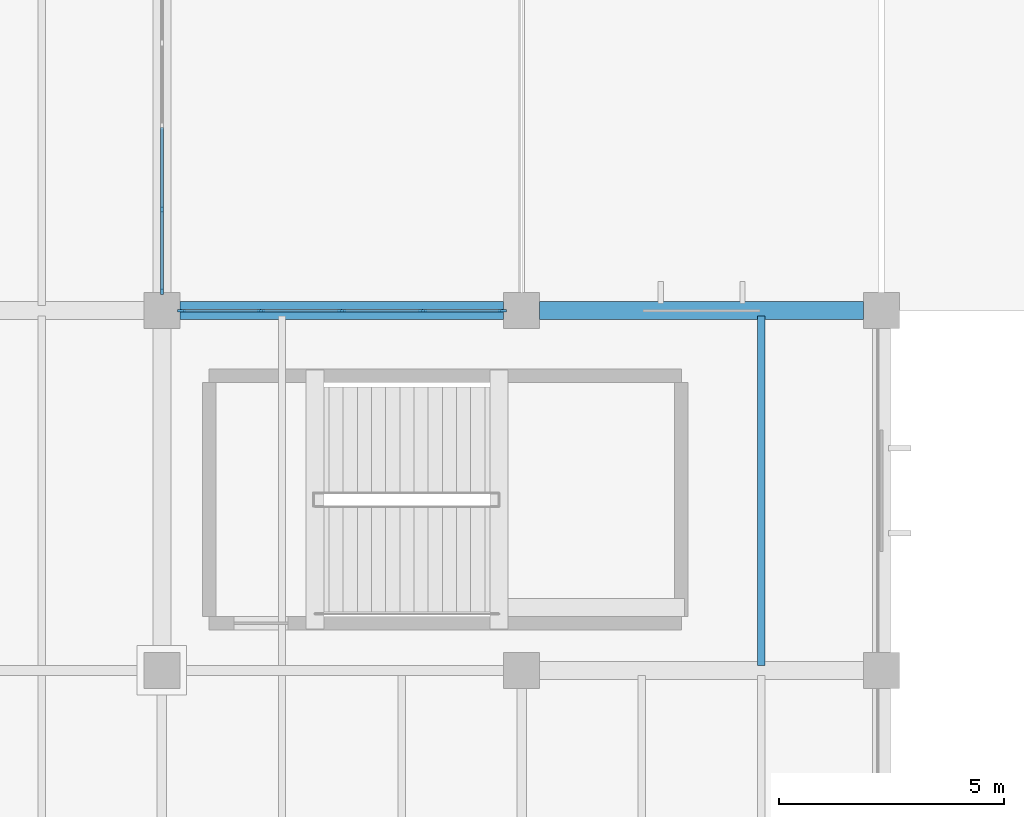
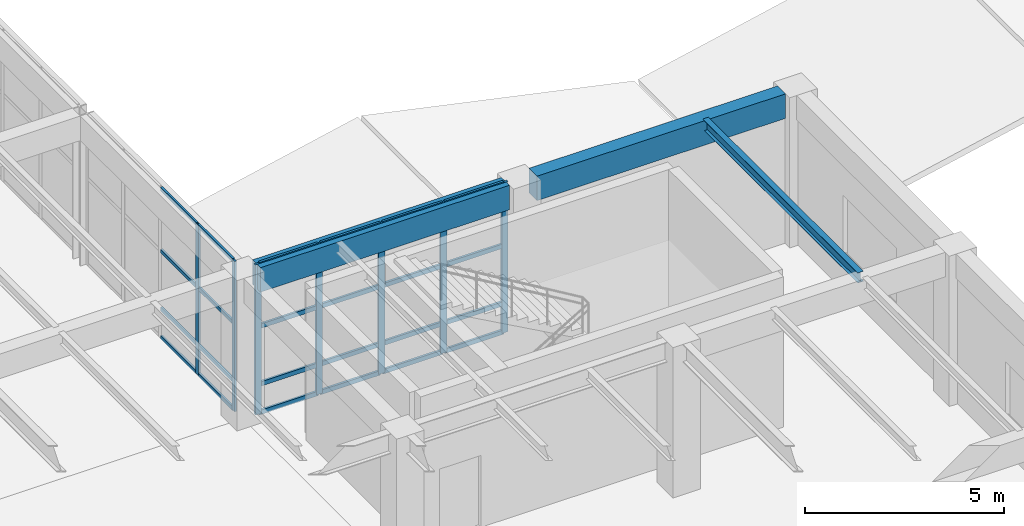
# One storey, part 17 of 60: 31 members, 3 beams, 2 elements without a shape of their own.
"""IFC4 building model written with IfcOpenShell, lengths in metres."""

from ifc_helpers import new_model, si_unit, direction, frame, origin, origin_2d, place, context, subcontext, project, spatial, rectangle, i_section, extrude, material, layer, layer_set, material_profile, profile_set, type_object, element, aggregate, save


model = new_model("IFC4")

# Units and contexts
model_context = context("Model", 3, precision=1e-05, world=origin(), true_north=direction((0.0, 1.0)))
body_context = subcontext(model_context, "Body", "Model", "MODEL_VIEW")
ifc_project = project(units=[si_unit("LENGTHUNIT", "METRE"), si_unit("AREAUNIT", "SQUARE_METRE"), si_unit("VOLUMEUNIT", "CUBIC_METRE"), si_unit("PLANEANGLEUNIT", "RADIAN"), si_unit("MASSUNIT", "GRAM", prefix="KILO")], contexts=[model_context])

# Site, building, storey
site_placement = place(None, origin())
site = spatial("IfcSite", under=ifc_project, at=site_placement, CompositionType="ELEMENT")
building_placement = place(site_placement, origin())
building = spatial("IfcBuilding", under=site, at=building_placement, Name="Varnela Railside Interchange", CompositionType="ELEMENT")
storey_placement = place(building_placement, frame((0.0, 0.0, 6.300048828125)))
storey = spatial("IfcBuildingStorey", under=building, at=storey_placement, Name="L01", CompositionType="ELEMENT", Elevation=6.300048828125)

# Beam
ifc_material_1 = material(Name="Steel AR 350 (350 MPa)", Category="steel")
ifc_material_profile_1 = material_profile(ifc_material_1, i_section(OverallWidth=0.1650390625, OverallDepth=0.31005859375, WebThickness=0.005859375, FlangeThickness=0.009765625, at=origin_2d()), Name="W310x38.7")
ifc_profile_set_1 = profile_set([ifc_material_profile_1], Name="Steel AR 350 (350 MPa)")
beam_type_1 = type_object("IfcBeamType", Name="Composite Floor Joist J-04", PredefinedType="JOIST", material=ifc_profile_set_1)
beam_placement = place(storey_placement, frame((65.330078125, 54.114501953125, 4.445068359375), z_axis=(0.0, 1.0, 0.0), x_axis=(-1.0, 0.0, 0.0)))
element("IfcBeam", 1, at=beam_placement, inside=storey, type_object=beam_type_1, Name="Composite Floor Joist J-04 (L01) (BM-1598)", PredefinedType="JOIST", context=body_context, shape_type="SweptSolid", body=[
    extrude(i_section(OverallWidth=0.1650390625, OverallDepth=0.31005859375, WebThickness=0.005859375, FlangeThickness=0.009765625, at=origin_2d()), origin(), (0.0, 0.0, 1.0), 7.77099609375),
])

# Curtain wall, members
ifc_material_2 = material(Name="Aluminium 6063-T6", Category="aluminium")
ifc_layer_1 = layer(ifc_material_2, 0.035888671875)
ifc_layer_set_1 = layer_set([ifc_layer_1], Name="Aluminium 6063-T6")
curtain_wall_type_1 = type_object("IfcCurtainWallType", Name="Concourse Triple-Height Curtain Wall CW-01", PredefinedType="USERDEFINED", material=ifc_layer_set_1)
curtain_wall_1_placement = place(storey_placement, origin())
curtain_wall_1 = element("IfcCurtainWall", 2, at=curtain_wall_1_placement, inside=storey, type_object=curtain_wall_type_1, Name="Curtain Wall CW-01 (L01) (CW-026)", ObjectType="CURTAIN WALL", PredefinedType="USERDEFINED")
ifc_material_profile_2 = material_profile(ifc_material_2, rectangle(XDim=0.06494140625, YDim=0.179931640625, at=origin_2d()), Name="ALU 65x180")
ifc_profile_set_2 = profile_set([ifc_material_profile_2], Name="Aluminium 6063-T6")
member_type_1 = type_object("IfcMemberType", Name="Concourse Tall Mullion ML-03", PredefinedType="MULLION", material=ifc_profile_set_2)
member_1_placement = place(storey_placement, frame((52.4326171875, 62.0, 0.0), z_axis=(0.0, 0.0, 1.0), x_axis=(0.0, 1.0, 0.0)))
member_1 = element("IfcMember", 3, at=member_1_placement, type_object=member_type_1, Name="CW-01 mullion 1", PredefinedType="MULLION", context=body_context, shape_type="SweptSolid", body=[
    extrude(rectangle(XDim=0.06494140625, YDim=0.179931640625, at=origin_2d()), origin(), (0.0, 0.0, 1.0), 4.599853515625),
])
member_2_placement = place(storey_placement, frame((54.199951171875, 62.0, 0.0), z_axis=(0.0, 0.0, 1.0), x_axis=(0.0, 1.0, 0.0)))
member_2 = element("IfcMember", 4, at=member_2_placement, type_object=member_type_1, Name="CW-01 mullion 2", PredefinedType="MULLION", context=body_context, shape_type="SweptSolid", body=[
    extrude(rectangle(XDim=0.06494140625, YDim=0.179931640625, at=origin_2d()), origin(), (0.0, 0.0, 1.0), 4.599853515625),
])
member_3_placement = place(storey_placement, frame((56.0, 62.0, 0.0), z_axis=(0.0, 0.0, 1.0), x_axis=(0.0, 1.0, 0.0)))
member_3 = element("IfcMember", 5, at=member_3_placement, type_object=member_type_1, Name="CW-01 mullion 3", PredefinedType="MULLION", context=body_context, shape_type="SweptSolid", body=[
    extrude(rectangle(XDim=0.06494140625, YDim=0.179931640625, at=origin_2d()), origin(), (0.0, 0.0, 1.0), 4.599853515625),
])
member_4_placement = place(storey_placement, frame((57.800048828125, 62.0, 0.0), z_axis=(0.0, 0.0, 1.0), x_axis=(0.0, 1.0, 0.0)))
member_4 = element("IfcMember", 6, at=member_4_placement, type_object=member_type_1, Name="CW-01 mullion 4", PredefinedType="MULLION", context=body_context, shape_type="SweptSolid", body=[
    extrude(rectangle(XDim=0.06494140625, YDim=0.179931640625, at=origin_2d()), origin(), (0.0, 0.0, 1.0), 4.599853515625),
])
member_5_placement = place(storey_placement, frame((59.5673828125, 62.0, 0.0), z_axis=(0.0, 0.0, 1.0), x_axis=(0.0, 1.0, 0.0)))
member_5 = element("IfcMember", 7, at=member_5_placement, type_object=member_type_1, Name="CW-01 mullion 5", PredefinedType="MULLION", context=body_context, shape_type="SweptSolid", body=[
    extrude(rectangle(XDim=0.06494140625, YDim=0.179931640625, at=origin_2d()), origin(), (0.0, 0.0, 1.0), 4.599853515625),
])
ifc_material_profile_3 = material_profile(ifc_material_2, rectangle(XDim=0.06494140625, YDim=0.135009765625, at=origin_2d()), Name="ALU 65x135")
ifc_profile_set_3 = profile_set([ifc_material_profile_3], Name="Aluminium 6063-T6")
member_type_2 = type_object("IfcMemberType", Name="Concourse Transom TR-03", PredefinedType="USERDEFINED", material=ifc_profile_set_3)
member_6_placement = place(storey_placement, frame((52.465087890625, 62.0, 0.032470703125), z_axis=(1.0, 0.0, 0.0), x_axis=(0.0, 1.0, 0.0)))
member_6 = element("IfcMember", 8, at=member_6_placement, type_object=member_type_2, Name="CW-01 transom 1.1", ObjectType="TRANSOM", PredefinedType="USERDEFINED", context=body_context, shape_type="SweptSolid", body=[
    extrude(rectangle(XDim=0.06494140625, YDim=0.135009765625, at=origin_2d()), origin(), (0.0, 0.0, 1.0), 1.702392578125),
])
member_7_placement = place(storey_placement, frame((52.465087890625, 62.0, 0.89990234375), z_axis=(1.0, 0.0, 0.0), x_axis=(0.0, 1.0, 0.0)))
member_7 = element("IfcMember", 9, at=member_7_placement, type_object=member_type_2, Name="CW-01 transom 1.2", ObjectType="TRANSOM", PredefinedType="USERDEFINED", context=body_context, shape_type="SweptSolid", body=[
    extrude(rectangle(XDim=0.06494140625, YDim=0.135009765625, at=origin_2d()), origin(), (0.0, 0.0, 1.0), 1.702392578125),
])
member_8_placement = place(storey_placement, frame((52.465087890625, 62.0, 2.66796875), z_axis=(1.0, 0.0, 0.0), x_axis=(0.0, 1.0, 0.0)))
member_8 = element("IfcMember", 10, at=member_8_placement, type_object=member_type_2, Name="CW-01 transom 1.3", ObjectType="TRANSOM", PredefinedType="USERDEFINED", context=body_context, shape_type="SweptSolid", body=[
    extrude(rectangle(XDim=0.06494140625, YDim=0.135009765625, at=origin_2d()), origin(), (0.0, 0.0, 1.0), 1.702392578125),
])
member_9_placement = place(storey_placement, frame((52.465087890625, 62.0, 4.5673828125), z_axis=(1.0, 0.0, 0.0), x_axis=(0.0, 1.0, 0.0)))
member_9 = element("IfcMember", 11, at=member_9_placement, type_object=member_type_2, Name="CW-01 transom 1.4", ObjectType="TRANSOM", PredefinedType="USERDEFINED", context=body_context, shape_type="SweptSolid", body=[
    extrude(rectangle(XDim=0.06494140625, YDim=0.135009765625, at=origin_2d()), origin(), (0.0, 0.0, 1.0), 1.702392578125),
])
member_10_placement = place(storey_placement, frame((54.232421875, 62.0, 0.032470703125), z_axis=(1.0, 0.0, 0.0), x_axis=(0.0, 1.0, 0.0)))
member_10 = element("IfcMember", 12, at=member_10_placement, type_object=member_type_2, Name="CW-01 transom 2.1", ObjectType="TRANSOM", PredefinedType="USERDEFINED", context=body_context, shape_type="SweptSolid", body=[
    extrude(rectangle(XDim=0.06494140625, YDim=0.135009765625, at=origin_2d()), origin(), (0.0, 0.0, 1.0), 1.735107421875),
])
member_11_placement = place(storey_placement, frame((54.232421875, 62.0, 0.89990234375), z_axis=(1.0, 0.0, 0.0), x_axis=(0.0, 1.0, 0.0)))
member_11 = element("IfcMember", 13, at=member_11_placement, type_object=member_type_2, Name="CW-01 transom 2.2", ObjectType="TRANSOM", PredefinedType="USERDEFINED", context=body_context, shape_type="SweptSolid", body=[
    extrude(rectangle(XDim=0.06494140625, YDim=0.135009765625, at=origin_2d()), origin(), (0.0, 0.0, 1.0), 1.735107421875),
])
member_12_placement = place(storey_placement, frame((54.232421875, 62.0, 2.66796875), z_axis=(1.0, 0.0, 0.0), x_axis=(0.0, 1.0, 0.0)))
member_12 = element("IfcMember", 14, at=member_12_placement, type_object=member_type_2, Name="CW-01 transom 2.3", ObjectType="TRANSOM", PredefinedType="USERDEFINED", context=body_context, shape_type="SweptSolid", body=[
    extrude(rectangle(XDim=0.06494140625, YDim=0.135009765625, at=origin_2d()), origin(), (0.0, 0.0, 1.0), 1.735107421875),
])
member_13_placement = place(storey_placement, frame((54.232421875, 62.0, 4.5673828125), z_axis=(1.0, 0.0, 0.0), x_axis=(0.0, 1.0, 0.0)))
member_13 = element("IfcMember", 15, at=member_13_placement, type_object=member_type_2, Name="CW-01 transom 2.4", ObjectType="TRANSOM", PredefinedType="USERDEFINED", context=body_context, shape_type="SweptSolid", body=[
    extrude(rectangle(XDim=0.06494140625, YDim=0.135009765625, at=origin_2d()), origin(), (0.0, 0.0, 1.0), 1.735107421875),
])
member_14_placement = place(storey_placement, frame((56.032470703125, 62.0, 0.032470703125), z_axis=(1.0, 0.0, 0.0), x_axis=(0.0, 1.0, 0.0)))
member_14 = element("IfcMember", 16, at=member_14_placement, type_object=member_type_2, Name="CW-01 transom 3.1", ObjectType="TRANSOM", PredefinedType="USERDEFINED", context=body_context, shape_type="SweptSolid", body=[
    extrude(rectangle(XDim=0.06494140625, YDim=0.135009765625, at=origin_2d()), origin(), (0.0, 0.0, 1.0), 1.735107421875),
])
member_15_placement = place(storey_placement, frame((56.032470703125, 62.0, 0.89990234375), z_axis=(1.0, 0.0, 0.0), x_axis=(0.0, 1.0, 0.0)))
member_15 = element("IfcMember", 17, at=member_15_placement, type_object=member_type_2, Name="CW-01 transom 3.2", ObjectType="TRANSOM", PredefinedType="USERDEFINED", context=body_context, shape_type="SweptSolid", body=[
    extrude(rectangle(XDim=0.06494140625, YDim=0.135009765625, at=origin_2d()), origin(), (0.0, 0.0, 1.0), 1.735107421875),
])
member_16_placement = place(storey_placement, frame((56.032470703125, 62.0, 2.66796875), z_axis=(1.0, 0.0, 0.0), x_axis=(0.0, 1.0, 0.0)))
member_16 = element("IfcMember", 18, at=member_16_placement, type_object=member_type_2, Name="CW-01 transom 3.3", ObjectType="TRANSOM", PredefinedType="USERDEFINED", context=body_context, shape_type="SweptSolid", body=[
    extrude(rectangle(XDim=0.06494140625, YDim=0.135009765625, at=origin_2d()), origin(), (0.0, 0.0, 1.0), 1.735107421875),
])
member_17_placement = place(storey_placement, frame((56.032470703125, 62.0, 4.5673828125), z_axis=(1.0, 0.0, 0.0), x_axis=(0.0, 1.0, 0.0)))
member_17 = element("IfcMember", 19, at=member_17_placement, type_object=member_type_2, Name="CW-01 transom 3.4", ObjectType="TRANSOM", PredefinedType="USERDEFINED", context=body_context, shape_type="SweptSolid", body=[
    extrude(rectangle(XDim=0.06494140625, YDim=0.135009765625, at=origin_2d()), origin(), (0.0, 0.0, 1.0), 1.735107421875),
])
member_18_placement = place(storey_placement, frame((57.83251953125, 62.0, 0.032470703125), z_axis=(1.0, 0.0, 0.0), x_axis=(0.0, 1.0, 0.0)))
member_18 = element("IfcMember", 20, at=member_18_placement, type_object=member_type_2, Name="CW-01 transom 4.1", ObjectType="TRANSOM", PredefinedType="USERDEFINED", context=body_context, shape_type="SweptSolid", body=[
    extrude(rectangle(XDim=0.06494140625, YDim=0.135009765625, at=origin_2d()), origin(), (0.0, 0.0, 1.0), 1.702392578125),
])
member_19_placement = place(storey_placement, frame((57.83251953125, 62.0, 0.89990234375), z_axis=(1.0, 0.0, 0.0), x_axis=(0.0, 1.0, 0.0)))
member_19 = element("IfcMember", 21, at=member_19_placement, type_object=member_type_2, Name="CW-01 transom 4.2", ObjectType="TRANSOM", PredefinedType="USERDEFINED", context=body_context, shape_type="SweptSolid", body=[
    extrude(rectangle(XDim=0.06494140625, YDim=0.135009765625, at=origin_2d()), origin(), (0.0, 0.0, 1.0), 1.702392578125),
])
member_20_placement = place(storey_placement, frame((57.83251953125, 62.0, 2.66796875), z_axis=(1.0, 0.0, 0.0), x_axis=(0.0, 1.0, 0.0)))
member_20 = element("IfcMember", 22, at=member_20_placement, type_object=member_type_2, Name="CW-01 transom 4.3", ObjectType="TRANSOM", PredefinedType="USERDEFINED", context=body_context, shape_type="SweptSolid", body=[
    extrude(rectangle(XDim=0.06494140625, YDim=0.135009765625, at=origin_2d()), origin(), (0.0, 0.0, 1.0), 1.702392578125),
])
member_21_placement = place(storey_placement, frame((57.83251953125, 62.0, 4.5673828125), z_axis=(1.0, 0.0, 0.0), x_axis=(0.0, 1.0, 0.0)))
member_21 = element("IfcMember", 23, at=member_21_placement, type_object=member_type_2, Name="CW-01 transom 4.4", ObjectType="TRANSOM", PredefinedType="USERDEFINED", context=body_context, shape_type="SweptSolid", body=[
    extrude(rectangle(XDim=0.06494140625, YDim=0.135009765625, at=origin_2d()), origin(), (0.0, 0.0, 1.0), 1.702392578125),
])
aggregate(curtain_wall_1, [member_1, member_2, member_3, member_4, member_5, member_6, member_7, member_8, member_9, member_10, member_11, member_12, member_13, member_14, member_15, member_16, member_17, member_18, member_19, member_20, member_21])

ifc_layer_2 = layer(ifc_material_2, 0.035888671875)
ifc_layer_set_2 = layer_set([ifc_layer_2], Name="Aluminium 6063-T6")
curtain_wall_type_2 = type_object("IfcCurtainWallType", Name="Operations Wing Facade Curtain Wall CW-03", PredefinedType="USERDEFINED", material=ifc_layer_set_2)
curtain_wall_2_placement = place(storey_placement, origin())
curtain_wall_2 = element("IfcCurtainWall", 24, at=curtain_wall_2_placement, inside=storey, type_object=curtain_wall_type_2, Name="Curtain Wall CW-03 (L01) (CW-025)", ObjectType="CURTAIN WALL", PredefinedType="USERDEFINED")
ifc_material_profile_4 = material_profile(ifc_material_2, rectangle(XDim=0.06005859375, YDim=0.139892578125, at=origin_2d()), Name="ALU 60x140")
ifc_profile_set_4 = profile_set([ifc_material_profile_4], Name="Aluminium 6063-T6")
member_type_3 = type_object("IfcMemberType", Name="Curtain Wall Mullion ML-01", PredefinedType="MULLION", material=ifc_profile_set_4)
member_22_placement = place(storey_placement, frame((52.0, 64.251708984375, 0.0), z_axis=(0.0, 0.0, 1.0), x_axis=(1.0, 0.0, 0.0)))
member_22 = element("IfcMember", 25, at=member_22_placement, type_object=member_type_3, Name="CW-03 mullion 4", PredefinedType="MULLION", context=body_context, shape_type="SweptSolid", body=[
    extrude(rectangle(XDim=0.06005859375, YDim=0.139892578125, at=origin_2d()), origin(), (0.0, 0.0, 1.0), 4.599853515625),
])
member_23_placement = place(storey_placement, frame((52.0, 62.429931640625, 0.0), z_axis=(0.0, 0.0, 1.0), x_axis=(1.0, 0.0, 0.0)))
member_23 = element("IfcMember", 26, at=member_23_placement, type_object=member_type_3, Name="CW-03 mullion 5", PredefinedType="MULLION", context=body_context, shape_type="SweptSolid", body=[
    extrude(rectangle(XDim=0.06005859375, YDim=0.139892578125, at=origin_2d()), origin(), (0.0, 0.0, 1.0), 4.599853515625),
])
ifc_material_profile_5 = material_profile(ifc_material_2, rectangle(XDim=0.06005859375, YDim=0.110107421875, at=origin_2d()), Name="ALU 60x110")
ifc_profile_set_5 = profile_set([ifc_material_profile_5], Name="Aluminium 6063-T6")
member_type_4 = type_object("IfcMemberType", Name="Curtain Wall Transom TR-01", PredefinedType="USERDEFINED", material=ifc_profile_set_5)
member_24_placement = place(storey_placement, frame((52.0, 66.0732421875, 0.030029296875), z_axis=(0.0, -1.0, 0.0), x_axis=(1.0, 0.0, 0.0)))
member_24 = element("IfcMember", 27, at=member_24_placement, type_object=member_type_4, Name="CW-03 transom 3.1", ObjectType="TRANSOM", PredefinedType="USERDEFINED", context=body_context, shape_type="SweptSolid", body=[
    extrude(rectangle(XDim=0.06005859375, YDim=0.110107421875, at=origin_2d()), origin(), (0.0, 0.0, 1.0), 1.79150390625),
])
member_25_placement = place(storey_placement, frame((52.0, 66.0732421875, 0.89990234375), z_axis=(0.0, -1.0, 0.0), x_axis=(1.0, 0.0, 0.0)))
member_25 = element("IfcMember", 28, at=member_25_placement, type_object=member_type_4, Name="CW-03 transom 3.2", ObjectType="TRANSOM", PredefinedType="USERDEFINED", context=body_context, shape_type="SweptSolid", body=[
    extrude(rectangle(XDim=0.06005859375, YDim=0.110107421875, at=origin_2d()), origin(), (0.0, 0.0, 1.0), 1.79150390625),
])
member_26_placement = place(storey_placement, frame((52.0, 66.0732421875, 2.66796875), z_axis=(0.0, -1.0, 0.0), x_axis=(1.0, 0.0, 0.0)))
member_26 = element("IfcMember", 29, at=member_26_placement, type_object=member_type_4, Name="CW-03 transom 3.3", ObjectType="TRANSOM", PredefinedType="USERDEFINED", context=body_context, shape_type="SweptSolid", body=[
    extrude(rectangle(XDim=0.06005859375, YDim=0.110107421875, at=origin_2d()), origin(), (0.0, 0.0, 1.0), 1.79150390625),
])
member_27_placement = place(storey_placement, frame((52.0, 66.0732421875, 4.570068359375), z_axis=(0.0, -1.0, 0.0), x_axis=(1.0, 0.0, 0.0)))
member_27 = element("IfcMember", 30, at=member_27_placement, type_object=member_type_4, Name="CW-03 transom 3.4", ObjectType="TRANSOM", PredefinedType="USERDEFINED", context=body_context, shape_type="SweptSolid", body=[
    extrude(rectangle(XDim=0.06005859375, YDim=0.110107421875, at=origin_2d()), origin(), (0.0, 0.0, 1.0), 1.79150390625),
])
member_28_placement = place(storey_placement, frame((52.0, 64.2216796875, 0.030029296875), z_axis=(0.0, -1.0, 0.0), x_axis=(1.0, 0.0, 0.0)))
member_28 = element("IfcMember", 31, at=member_28_placement, type_object=member_type_4, Name="CW-03 transom 4.1", ObjectType="TRANSOM", PredefinedType="USERDEFINED", context=body_context, shape_type="SweptSolid", body=[
    extrude(rectangle(XDim=0.06005859375, YDim=0.110107421875, at=origin_2d()), origin(), (0.0, 0.0, 1.0), 1.76171875),
])
member_29_placement = place(storey_placement, frame((52.0, 64.2216796875, 0.89990234375), z_axis=(0.0, -1.0, 0.0), x_axis=(1.0, 0.0, 0.0)))
member_29 = element("IfcMember", 32, at=member_29_placement, type_object=member_type_4, Name="CW-03 transom 4.2", ObjectType="TRANSOM", PredefinedType="USERDEFINED", context=body_context, shape_type="SweptSolid", body=[
    extrude(rectangle(XDim=0.06005859375, YDim=0.110107421875, at=origin_2d()), origin(), (0.0, 0.0, 1.0), 1.76171875),
])
member_30_placement = place(storey_placement, frame((52.0, 64.2216796875, 2.66796875), z_axis=(0.0, -1.0, 0.0), x_axis=(1.0, 0.0, 0.0)))
member_30 = element("IfcMember", 33, at=member_30_placement, type_object=member_type_4, Name="CW-03 transom 4.3", ObjectType="TRANSOM", PredefinedType="USERDEFINED", context=body_context, shape_type="SweptSolid", body=[
    extrude(rectangle(XDim=0.06005859375, YDim=0.110107421875, at=origin_2d()), origin(), (0.0, 0.0, 1.0), 1.76171875),
])
member_31_placement = place(storey_placement, frame((52.0, 64.2216796875, 4.570068359375), z_axis=(0.0, -1.0, 0.0), x_axis=(1.0, 0.0, 0.0)))
member_31 = element("IfcMember", 34, at=member_31_placement, type_object=member_type_4, Name="CW-03 transom 4.4", ObjectType="TRANSOM", PredefinedType="USERDEFINED", context=body_context, shape_type="SweptSolid", body=[
    extrude(rectangle(XDim=0.06005859375, YDim=0.110107421875, at=origin_2d()), origin(), (0.0, 0.0, 1.0), 1.76171875),
])
aggregate(curtain_wall_2, [member_22, member_23, member_24, member_25, member_26, member_27, member_28, member_29, member_30, member_31])

# Beams
ifc_material_3 = material(Name="Concrete C40 precast", Category="concrete")
ifc_material_profile_6 = material_profile(ifc_material_3, rectangle(XDim=0.39990234375, YDim=0.75, at=origin_2d()), Name="PC 400x750")
ifc_profile_set_6 = profile_set([ifc_material_profile_6], Name="Concrete C40 precast")
beam_type_2 = type_object("IfcBeamType", Name="Precast Facade Spandrel SP-03", PredefinedType="SPANDREL", material=ifc_profile_set_6)
for number, where, z_axis, x_axis, name in (
    (35, (52.39990234375, 62.0, 4.224853515625), (1.0, 0.0, 0.0), (0.0, 1.0, 0.0), "Precast Facade Spandrel SP-03 (L01) (BM-1667)"),
    (36, (60.39990234375, 62.0, 4.224853515625), (1.0, 0.0, 0.0), (0.0, 1.0, 0.0), "Precast Facade Spandrel SP-03 (L01) (BM-1668)"),
):
    element("IfcBeam", number, at=place(storey_placement, frame(where, z_axis=z_axis, x_axis=x_axis)), inside=storey, type_object=beam_type_2, Name=name, PredefinedType="SPANDREL", context=body_context, shape_type="SweptSolid", body=[
        extrude(rectangle(XDim=0.39990234375, YDim=0.75, at=origin_2d()), origin(), (0.0, 0.0, 1.0), 7.2001953125),
    ])

save(model, "model.ifc")
